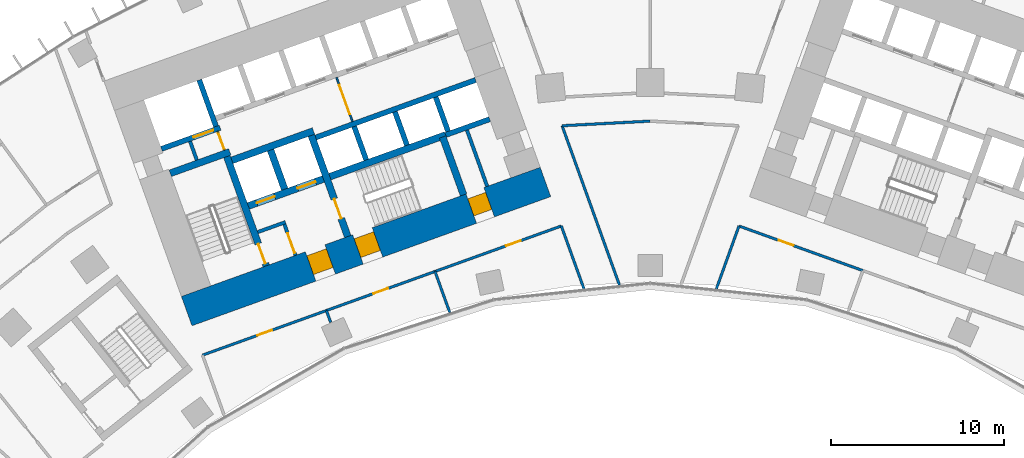
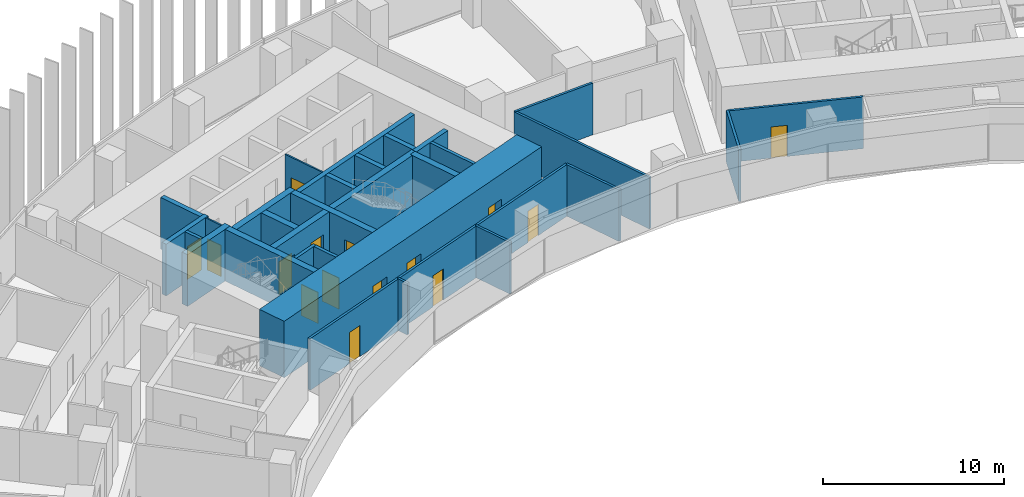
# One storey, part 19 of 25: 31 walls, 15 doors, 15 openings.
"""IFC4 building model written with IfcOpenShell, lengths in metres."""

from ifc_helpers import new_model, si_unit, direction, frame, frame_2d, origin, place, context, subcontext, project, spatial, rectangle, extrude, material, layer, layer_set, type_object, element, fill, save


model = new_model("IFC4")

# Units and contexts
model_context = context("Model", 3, precision=1e-05, world=origin(), true_north=direction((0.0, 1.0)))
body_context = subcontext(model_context, "Body", "Model", "MODEL_VIEW")
ifc_project = project(units=[si_unit("LENGTHUNIT", "METRE"), si_unit("AREAUNIT", "SQUARE_METRE"), si_unit("VOLUMEUNIT", "CUBIC_METRE"), si_unit("PLANEANGLEUNIT", "RADIAN"), si_unit("MASSUNIT", "GRAM", prefix="KILO")], contexts=[model_context])

# Site, building, storey
site_placement = place(None, origin())
site = spatial("IfcSite", under=ifc_project, at=site_placement, CompositionType="ELEMENT")
building_placement = place(site_placement, origin())
building = spatial("IfcBuilding", under=site, at=building_placement, Name="Stone Belt Terrace Tower", CompositionType="ELEMENT")
storey_placement = place(building_placement, frame((0.0, 0.0, 52.800048828125)))
storey = spatial("IfcBuildingStorey", under=building, at=storey_placement, Name="L12", CompositionType="ELEMENT", Elevation=52.800048828125)

# Wall, opening, door
ifc_material_1 = material(Name="Plasterboard partition")
ifc_layer_1 = layer(ifc_material_1, 0.10009765625)
ifc_layer_set_1 = layer_set([ifc_layer_1], Name="Core partition 100")
wall_type_1 = type_object("IfcWallType", Name="Core partition 100", PredefinedType="PARTITIONING", material=ifc_layer_set_1)
wall_1_placement = place(storey_placement, frame((-24.555908203125, 51.10400390625, 0.0), z_axis=(0.0, 0.0, 1.0), x_axis=(-0.338621735342, 0.94092258999, 0.0)))
wall_1 = element("IfcWall", 1, at=wall_1_placement, inside=storey, type_object=wall_type_1, Name="Core A wall", PredefinedType="PARTITIONING", context=body_context, shape_type="SweptSolid", body=[
    extrude(rectangle(XDim=1.14990234375, YDim=0.10009765625, at=frame_2d((0.574951171875, 0.0))), origin(), (0.0, 0.0, 1.0), 3.47998046875),
])
opening_1_placement = place(wall_1_placement, frame((0.050048828125, 0.0, 0.0)))
opening_1 = element("IfcOpeningElement", 2, at=opening_1_placement, cuts=wall_1, Name="Opening L12-C02", PredefinedType="OPENING", context=body_context, shape_type="SweptSolid", body=[
    extrude(rectangle(XDim=1.0, YDim=2.10009765625, at=frame_2d((0.5, 1.050048828125))), frame((0.0, 0.06005859375, 0.0), z_axis=(0.0, -1.0, 0.0), x_axis=(1.0, 0.0, 0.0)), (0.0, 0.0, 1.0), 0.1201171875),
])
ifc_material_2 = material(Name="Timber door leaf", Category="wood")
door_type_1 = type_object("IfcDoorType", Name="Core room door 1000", OperationType="SINGLE_SWING_LEFT", PredefinedType="DOOR", material=ifc_material_2)
door_1_placement = place(opening_1_placement, origin())
door_1 = element("IfcDoor", 3, at=door_1_placement, inside=storey, type_object=door_type_1, Name="Service lift lobby door core A", OperationType="SINGLE_SWING_RIGHT", OverallHeight=2.10009765625, OverallWidth=1.0, PredefinedType="DOOR", context=body_context, shape_type="SweptSolid", body=[
    extrude(rectangle(XDim=1.0, YDim=2.10009765625, at=frame_2d((0.5, 1.050048828125))), frame((0.0, 0.02490234375, 0.0), z_axis=(0.0, -1.0, 0.0), x_axis=(1.0, 0.0, 0.0)), (0.0, 0.0, 1.0), 0.050048828125),
])
fill(opening_1, door_1)

wall_2_placement = place(storey_placement, frame((-17.17724609375, 52.749755859375, 0.0), z_axis=(0.0, 0.0, 1.0), x_axis=(-0.338546555931, 0.940949642365, 0.0)))
wall_2 = element("IfcWall", 4, at=wall_2_placement, inside=storey, type_object=wall_type_1, Name="Core A wall", PredefinedType="PARTITIONING", context=body_context, shape_type="SweptSolid", body=[
    extrude(rectangle(XDim=2.699951171875, YDim=0.10009765625, at=frame_2d((1.35009765625, 0.0))), origin(), (0.0, 0.0, 1.0), 3.47998046875),
])
opening_2_placement = place(wall_2_placement, frame((0.449951171875, 0.0, 0.0)))
opening_2 = element("IfcOpeningElement", 5, at=opening_2_placement, cuts=wall_2, Name="Opening L12-C03", PredefinedType="OPENING", context=body_context, shape_type="SweptSolid", body=[
    extrude(rectangle(XDim=1.800048828125, YDim=2.10009765625, at=frame_2d((0.89990234375, 1.050048828125))), frame((0.0, 0.06005859375, 0.0), z_axis=(0.0, -1.0, 0.0), x_axis=(1.0, 0.0, 0.0)), (0.0, 0.0, 1.0), 0.1201171875),
])
ifc_material_3 = material(Name="Glazed aluminium door leaf", Category="aluminium")
door_type_2 = type_object("IfcDoorType", Name="Lift lobby entrance door 1800", OperationType="DOUBLE_DOOR_SINGLE_SWING", PredefinedType="DOOR", material=ifc_material_3)
door_2_placement = place(opening_2_placement, origin())
door_2 = element("IfcDoor", 6, at=door_2_placement, inside=storey, type_object=door_type_2, Name="Lift lobby double door core A", OperationType="DOUBLE_DOOR_SINGLE_SWING", OverallHeight=2.10009765625, OverallWidth=1.800048828125, PredefinedType="DOOR", context=body_context, shape_type="SweptSolid", body=[
    extrude(rectangle(XDim=1.800048828125, YDim=2.10009765625, at=frame_2d((0.89990234375, 1.050048828125))), frame((0.0, 0.02490234375, 0.0), z_axis=(0.0, -1.0, 0.0), x_axis=(1.0, 0.0, 0.0)), (0.0, 0.0, 1.0), 0.050048828125),
])
fill(opening_2, door_2)

# Wall, openings, doors
ifc_material_4 = material(Name="Concrete B80", Category="concrete")
ifc_layer_2 = layer(ifc_material_4, 1.800048828125)
ifc_layer_set_2 = layer_set([ifc_layer_2], Name="Core wall 1800 B80")
wall_type_2 = type_object("IfcWallType", Name="Core wall 1800 B80", PredefinedType="SHEAR", material=ifc_layer_set_2)
wall_3_placement = place(storey_placement, frame((-26.739501953125, 41.815673828125, 0.0), z_axis=(0.0, 0.0, 1.0), x_axis=(0.940921642213, 0.338624368902, 0.0)))
wall_3 = element("IfcWall", 7, at=wall_3_placement, inside=storey, type_object=wall_type_2, Name="Core A wall concave L12", PredefinedType="SHEAR", context=body_context, shape_type="SweptSolid", body=[
    extrude(rectangle(XDim=22.0, YDim=1.800048828125, at=frame_2d((11.0, 0.0))), origin(), (0.0, 0.0, 1.0), 3.800048828125),
])
opening_3_placement = place(wall_3_placement, frame((7.60009765625, 0.0, 0.0)))
opening_3 = element("IfcOpeningElement", 8, at=opening_3_placement, cuts=wall_3, Name="Opening L12-C07", PredefinedType="OPENING", context=body_context, shape_type="SweptSolid", body=[
    extrude(rectangle(XDim=1.199951171875, YDim=2.10009765625, at=frame_2d((0.60009765625, 1.050048828125))), frame((0.0, 0.909912109375, 0.0), z_axis=(0.0, -1.0, 0.0), x_axis=(1.0, 0.0, 0.0)), (0.0, 0.0, 1.0), 1.820068359375),
])
opening_4_placement = place(wall_3_placement, frame((10.5, 0.0, 0.0)))
opening_4 = element("IfcOpeningElement", 9, at=opening_4_placement, cuts=wall_3, Name="Opening L12-C09", PredefinedType="OPENING", context=body_context, shape_type="SweptSolid", body=[
    extrude(rectangle(XDim=1.199951171875, YDim=2.10009765625, at=frame_2d((0.60009765625, 1.050048828125))), frame((0.0, 0.909912109375, 0.0), z_axis=(0.0, -1.0, 0.0), x_axis=(1.0, 0.0, 0.0)), (0.0, 0.0, 1.0), 1.820068359375),
])
opening_5_placement = place(wall_3_placement, frame((17.449951171875, 0.0, 0.0)))
opening_5 = element("IfcOpeningElement", 10, at=opening_5_placement, cuts=wall_3, Name="Opening L12-C11", PredefinedType="OPENING", context=body_context, shape_type="SweptSolid", body=[
    extrude(rectangle(XDim=1.10009765625, YDim=2.10009765625, at=frame_2d((0.550048828125, 1.050048828125))), frame((0.0, 0.909912109375, 0.0), z_axis=(0.0, -1.0, 0.0), x_axis=(1.0, 0.0, 0.0)), (0.0, 0.0, 1.0), 1.820068359375),
])
door_type_3 = type_object("IfcDoorType", Name="Core room door 1100", OperationType="SINGLE_SWING_LEFT", PredefinedType="DOOR", material=ifc_material_2)
door_3_placement = place(opening_5_placement, origin())
door_3 = element("IfcDoor", 11, at=door_3_placement, inside=storey, type_object=door_type_3, Name="Door to Communications riser room core A", OperationType="SINGLE_SWING_RIGHT", OverallHeight=2.10009765625, OverallWidth=1.10009765625, PredefinedType="DOOR", context=body_context, shape_type="SweptSolid", body=[
    extrude(rectangle(XDim=1.10009765625, YDim=2.10009765625, at=frame_2d((0.550048828125, 1.050048828125))), frame((0.0, 0.60498046875, 0.0), z_axis=(0.0, -1.0, 0.0), x_axis=(1.0, 0.0, 0.0)), (0.0, 0.0, 1.0), 1.050048828125),
])
fill(opening_5, door_3)
ifc_material_5 = material(Name="Steel door leaf", Category="steel")
door_type_4 = type_object("IfcDoorType", Name="Fire-fighting lobby door 1200", OperationType="SINGLE_SWING_LEFT", PredefinedType="DOOR", material=ifc_material_5)
door_4_placement = place(opening_3_placement, origin())
door_4 = element("IfcDoor", 12, at=door_4_placement, inside=storey, type_object=door_type_4, Name="Fire-fighting lobby door core A", OperationType="SINGLE_SWING_RIGHT", OverallHeight=2.10009765625, OverallWidth=1.199951171875, PredefinedType="DOOR", context=body_context, shape_type="SweptSolid", body=[
    extrude(rectangle(XDim=1.199951171875, YDim=2.10009765625, at=frame_2d((0.60009765625, 1.050048828125))), frame((0.0, 0.655029296875, 0.0), z_axis=(0.0, -1.0, 0.0), x_axis=(1.0, 0.0, 0.0)), (0.0, 0.0, 1.0), 1.14990234375),
])
fill(opening_3, door_4)
door_type_5 = type_object("IfcDoorType", Name="Stair door 1200", OperationType="SINGLE_SWING_LEFT", PredefinedType="DOOR", material=ifc_material_5)
door_5_placement = place(opening_4_placement, origin())
door_5 = element("IfcDoor", 13, at=door_5_placement, inside=storey, type_object=door_type_5, Name="Stair 2 exit door core A", OperationType="SINGLE_SWING_LEFT", OverallHeight=2.10009765625, OverallWidth=1.199951171875, PredefinedType="DOOR", context=body_context, shape_type="SweptSolid", body=[
    extrude(rectangle(XDim=1.199951171875, YDim=2.10009765625, at=frame_2d((0.60009765625, 1.050048828125))), frame((0.0, 0.655029296875, 0.0), z_axis=(0.0, -1.0, 0.0), x_axis=(1.0, 0.0, 0.0)), (0.0, 0.0, 1.0), 1.14990234375),
])
fill(opening_4, door_5)

# Walls
ifc_layer_3 = layer(ifc_material_4, 0.39990234375)
ifc_layer_set_3 = layer_set([ifc_layer_3], Name="Fire-fighting lift shaft wall 400")
wall_type_3 = type_object("IfcWallType", Name="Fire-fighting lift shaft wall 400", PredefinedType="SHEAR", material=ifc_layer_set_3)
wall_4_placement = place(storey_placement, frame((-24.130615234375, 50.512939453125, 0.0), z_axis=(0.0, 0.0, 1.0), x_axis=(0.94091168377, 0.338652038744, 0.0)))
element("IfcWall", 14, at=wall_4_placement, inside=storey, type_object=wall_type_3, Name="Core A wall", PredefinedType="SHEAR", context=body_context, shape_type="SweptSolid", body=[
    extrude(rectangle(XDim=5.000244140625, YDim=0.39990234375, at=frame_2d((2.5, 0.0))), origin(), (0.0, 0.0, 1.0), 3.47998046875),
])
wall_5_placement = place(storey_placement, frame((-21.0859375, 48.845458984375, 0.0), z_axis=(0.0, 0.0, 1.0), x_axis=(-0.338629416206, 0.940919825745, 0.0)))
element("IfcWall", 15, at=wall_5_placement, inside=storey, type_object=wall_type_3, Name="Core A wall", PredefinedType="SHEAR", context=body_context, shape_type="SweptSolid", body=[
    extrude(rectangle(XDim=2.400146484375, YDim=0.39990234375, at=frame_2d((1.2001953125, 0.0))), origin(), (0.0, 0.0, 1.0), 3.47998046875),
])

# Wall, opening, door
ifc_layer_4 = layer(ifc_material_4, 0.300048828125)
ifc_layer_set_4 = layer_set([ifc_layer_4], Name="Lift shaft wall 300")
wall_type_4 = type_object("IfcWallType", Name="Lift shaft wall 300", PredefinedType="SHEAR", material=ifc_layer_set_4)
wall_6_placement = place(storey_placement, frame((-28.195068359375, 51.17578125, 0.0), z_axis=(0.0, 0.0, 1.0), x_axis=(0.940901243567, 0.338681044427, 0.0)))
wall_6 = element("IfcWall", 16, at=wall_6_placement, inside=storey, type_object=wall_type_4, Name="Core A wall", PredefinedType="SHEAR", context=body_context, shape_type="SweptSolid", body=[
    extrude(rectangle(XDim=3.599853515625, YDim=0.300048828125, at=frame_2d((1.7998046875, 0.0))), origin(), (0.0, 0.0, 1.0), 3.47998046875),
])
opening_6_placement = place(wall_6_placement, frame((1.969970703125, 0.0, 0.0)))
opening_6 = element("IfcOpeningElement", 17, at=opening_6_placement, cuts=wall_6, Name="Opening L12-LD09", PredefinedType="OPENING", context=body_context, shape_type="SweptSolid", body=[
    extrude(rectangle(XDim=1.199951171875, YDim=2.199951171875, at=frame_2d((0.60009765625, 1.10009765625))), frame((0.0, 0.159912109375, 0.0), z_axis=(0.0, -1.0, 0.0), x_axis=(1.0, 0.0, 0.0)), (0.0, 0.0, 1.0), 0.320068359375),
])
ifc_material_6 = material(Name="Stainless steel door leaf", Category="steel")
door_type_6 = type_object("IfcDoorType", Name="Landing door 1200", OperationType="SLIDING_TO_LEFT", PredefinedType="DOOR", material=ifc_material_6)
door_6_placement = place(opening_6_placement, origin())
door_6 = element("IfcDoor", 18, at=door_6_placement, inside=storey, type_object=door_type_6, Name="Landing door SV1 core A", OperationType="SLIDING_TO_LEFT", OverallHeight=2.199951171875, OverallWidth=1.199951171875, PredefinedType="DOOR", context=body_context, shape_type="SweptSolid", body=[
    extrude(rectangle(XDim=1.199951171875, YDim=2.199951171875, at=frame_2d((0.60009765625, 1.10009765625))), frame((0.0, 0.02490234375, 0.0), z_axis=(0.0, -1.0, 0.0), x_axis=(1.0, 0.0, 0.0)), (0.0, 0.0, 1.0), 0.050048828125),
])
fill(opening_6, door_6)

# Walls
wall_7_placement = place(storey_placement, frame((-25.046875, 52.46826171875, 0.0), z_axis=(0.0, 0.0, 1.0), x_axis=(-0.338549588058, 0.940948551423, 0.0)))
element("IfcWall", 19, at=wall_7_placement, inside=storey, type_object=wall_type_4, Name="Core A wall", PredefinedType="SHEAR", context=body_context, shape_type="SweptSolid", body=[
    extrude(rectangle(XDim=2.849853515625, YDim=0.300048828125, at=frame_2d((1.4248046875, 0.0))), origin(), (0.0, 0.0, 1.0), 3.47998046875),
])
wall_8_placement = place(storey_placement, frame((-19.29052734375, 51.829833984375, 0.0), z_axis=(0.0, 0.0, 1.0), x_axis=(0.940925833398, 0.338612722803, 0.0)))
element("IfcWall", 20, at=wall_8_placement, inside=storey, type_object=wall_type_4, Name="Core A wall", PredefinedType="SHEAR", context=body_context, shape_type="SweptSolid", body=[
    extrude(rectangle(XDim=9.7998046875, YDim=0.300048828125, at=frame_2d((4.89990234375, 0.0))), origin(), (0.0, 0.0, 1.0), 3.47998046875),
])
for number, where, z_axis, x_axis, name in (
    (21, (-16.38134765625, 50.53857421875, 0.0), (0.0, 0.0, 1.0), (-0.338681515556, 0.940901073982, 0.0), "Core A wall"),
    (22, (-14.029052734375, 51.38525390625, 0.0), (0.0, 0.0, 1.0), (-0.338681515556, 0.940901073982, 0.0), "Core A wall"),
):
    element("IfcWall", number, at=place(storey_placement, frame(where, z_axis=z_axis, x_axis=x_axis)), inside=storey, type_object=wall_type_4, Name=name, PredefinedType="SHEAR", context=body_context, shape_type="SweptSolid", body=[
        extrude(rectangle(XDim=2.050048828125, YDim=0.300048828125, at=frame_2d((1.02490234375, 0.0))), origin(), (0.0, 0.0, 1.0), 3.47998046875),
    ])
wall_9_placement = place(storey_placement, frame((-11.797119140625, 51.975830078125, 0.0), z_axis=(0.0, 0.0, 1.0), x_axis=(0.940910465161, 0.33865542451, 0.0)))
element("IfcWall", 23, at=wall_9_placement, inside=storey, type_object=wall_type_4, Name="Core A wall", PredefinedType="SHEAR", context=body_context, shape_type="SweptSolid", body=[
    extrude(rectangle(XDim=2.69970703125, YDim=0.300048828125, at=frame_2d((1.349853515625, 0.0))), origin(), (0.0, 0.0, 1.0), 3.47998046875),
])
wall_10_placement = place(storey_placement, frame((-11.659912109375, 52.184814453125, 0.0), z_axis=(0.0, 0.0, 1.0), x_axis=(-0.338670064856, 0.940905195634, 0.0)))
element("IfcWall", 24, at=wall_10_placement, inside=storey, type_object=wall_type_4, Name="Core A wall", PredefinedType="SHEAR", context=body_context, shape_type="SweptSolid", body=[
    extrude(rectangle(XDim=2.099853515625, YDim=0.300048828125, at=frame_2d((1.0498046875, 0.0))), origin(), (0.0, 0.0, 1.0), 3.47998046875),
])
ifc_material_7 = material(Name="Gypsum board partition")
ifc_layer_5 = layer(ifc_material_7, 0.14990234375)
ifc_layer_set_5 = layer_set([ifc_layer_5], Name="PARTITION 150 EI 60")
wall_type_5 = type_object("IfcWallType", Name="PARTITION 150 EI 60", PredefinedType="PARTITIONING", material=ifc_layer_set_5)
wall_11_placement = place(storey_placement, frame((-3.8193359375, 43.0986328125, 0.0), z_axis=(0.0, 0.0, 1.0), x_axis=(-0.338714989495, 0.940889024217, 0.0)))
element("IfcWall", 25, at=wall_11_placement, inside=storey, type_object=wall_type_5, Name="L12/wall/i006", PredefinedType="PARTITIONING", context=body_context, shape_type="SweptSolid", body=[
    extrude(rectangle(XDim=3.860595703125, YDim=0.14990234375, at=frame_2d((1.93017578125, 0.0))), origin(), (0.0, 0.0, 1.0), 3.47998046875),
])
wall_12_placement = place(storey_placement, frame((-5.0830078125, 52.514892578125, 0.0), z_axis=(0.0, 0.0, 1.0), x_axis=(0.338660235858, -0.940908733432, 0.0)))
element("IfcWall", 26, at=wall_12_placement, inside=storey, type_object=wall_type_5, Name="L12/wall/i008", PredefinedType="PARTITIONING", context=body_context, shape_type="SweptSolid", body=[
    extrude(rectangle(XDim=9.779052734375, YDim=0.14990234375, at=frame_2d((4.8896484375, 0.0))), origin(), (0.0, 0.0, 1.0), 3.47998046875),
])

# Wall, opening, door
wall_13_placement = place(storey_placement, frame((-18.6708984375, 41.85009765625, 0.0), z_axis=(0.0, 0.0, 1.0), x_axis=(-0.940898463148, -0.338688768702, 0.0)))
wall_13 = element("IfcWall", 27, at=wall_13_placement, inside=storey, type_object=wall_type_5, Name="L12/wall/i011", PredefinedType="PARTITIONING", context=body_context, shape_type="SweptSolid", body=[
    extrude(rectangle(XDim=7.603515625, YDim=0.14990234375, at=frame_2d((3.8017578125, 0.0))), origin(), (0.0, 0.0, 1.0), 3.47998046875),
])
opening_7_placement = place(wall_13_placement, frame((3.3515625, 0.0, 0.0)))
opening_7 = element("IfcOpeningElement", 28, at=opening_7_placement, cuts=wall_13, Name="Opening D-A3b-01", PredefinedType="OPENING", context=body_context, shape_type="SweptSolid", body=[
    extrude(rectangle(XDim=0.89990234375, YDim=2.10009765625, at=frame_2d((0.449951171875, 1.050048828125))), frame((0.0, 0.0849609375, 0.0), z_axis=(0.0, -1.0, 0.0), x_axis=(1.0, 0.0, 0.0)), (0.0, 0.0, 1.0), 0.169921875),
])
door_type_7 = type_object("IfcDoorType", Name="OFFICE DOOR 900 X 2100", OperationType="NOTDEFINED", PredefinedType="DOOR", material=ifc_material_2)
door_7_placement = place(opening_7_placement, origin())
door_7 = element("IfcDoor", 29, at=door_7_placement, inside=storey, type_object=door_type_7, Name="L12/door/i01", OperationType="SINGLE_SWING_RIGHT", OverallHeight=2.10009765625, OverallWidth=0.89990234375, PredefinedType="DOOR", context=body_context, shape_type="SweptSolid", body=[
    extrude(rectangle(XDim=0.89990234375, YDim=2.10009765625, at=frame_2d((0.449951171875, 1.050048828125))), frame((0.0, 0.02490234375, 0.0), z_axis=(0.0, -1.0, 0.0), x_axis=(1.0, 0.0, 0.0)), (0.0, 0.0, 1.0), 0.050048828125),
])
fill(opening_7, door_7)

wall_14_placement = place(storey_placement, frame((-12.406982421875, 44.10400390625, 0.0), z_axis=(0.0, 0.0, 1.0), x_axis=(-0.940951787008, -0.338540595092, 0.0)))
wall_14 = element("IfcWall", 30, at=wall_14_placement, inside=storey, type_object=wall_type_5, Name="L12/wall/i012", PredefinedType="PARTITIONING", context=body_context, shape_type="SweptSolid", body=[
    extrude(rectangle(XDim=6.669921875, YDim=0.14990234375, at=frame_2d((3.3349609375, 0.0))), origin(), (0.0, 0.0, 1.0), 3.47998046875),
])
opening_8_placement = place(wall_14_placement, frame((2.885009765625, 0.0, 0.0)))
opening_8 = element("IfcOpeningElement", 31, at=opening_8_placement, cuts=wall_14, Name="Opening D-A3b-02", PredefinedType="OPENING", context=body_context, shape_type="SweptSolid", body=[
    extrude(rectangle(XDim=0.89990234375, YDim=2.10009765625, at=frame_2d((0.449951171875, 1.050048828125))), frame((0.0, 0.0849609375, 0.0), z_axis=(0.0, -1.0, 0.0), x_axis=(1.0, 0.0, 0.0)), (0.0, 0.0, 1.0), 0.169921875),
])
door_8_placement = place(opening_8_placement, origin())
door_8 = element("IfcDoor", 32, at=door_8_placement, inside=storey, type_object=door_type_7, Name="L12/door/i02", OperationType="SINGLE_SWING_RIGHT", OverallHeight=2.10009765625, OverallWidth=0.89990234375, PredefinedType="DOOR", context=body_context, shape_type="SweptSolid", body=[
    extrude(rectangle(XDim=0.89990234375, YDim=2.10009765625, at=frame_2d((0.449951171875, 1.050048828125))), frame((0.0, 0.02490234375, 0.0), z_axis=(0.0, -1.0, 0.0), x_axis=(1.0, 0.0, 0.0)), (0.0, 0.0, 1.0), 0.050048828125),
])
fill(opening_8, door_8)

wall_15_placement = place(storey_placement, frame((-5.125, 46.72509765625, 0.0), z_axis=(0.0, 0.0, 1.0), x_axis=(-0.940921131887, -0.338625786921, 0.0)))
wall_15 = element("IfcWall", 33, at=wall_15_placement, inside=storey, type_object=wall_type_5, Name="L12/wall/i013", PredefinedType="PARTITIONING", context=body_context, shape_type="SweptSolid", body=[
    extrude(rectangle(XDim=7.751953125, YDim=0.14990234375, at=frame_2d((3.8759765625, 0.0))), origin(), (0.0, 0.0, 1.0), 3.47998046875),
])
opening_9_placement = place(wall_15_placement, frame((2.48828125, 0.0, 0.0)))
opening_9 = element("IfcOpeningElement", 34, at=opening_9_placement, cuts=wall_15, Name="Opening D-A3b-03", PredefinedType="OPENING", context=body_context, shape_type="SweptSolid", body=[
    extrude(rectangle(XDim=0.89990234375, YDim=2.10009765625, at=frame_2d((0.449951171875, 1.050048828125))), frame((0.0, 0.0849609375, 0.0), z_axis=(0.0, -1.0, 0.0), x_axis=(1.0, 0.0, 0.0)), (0.0, 0.0, 1.0), 0.169921875),
])
door_9_placement = place(opening_9_placement, origin())
door_9 = element("IfcDoor", 35, at=door_9_placement, inside=storey, type_object=door_type_7, Name="L12/door/i03", OperationType="SINGLE_SWING_LEFT", OverallHeight=2.10009765625, OverallWidth=0.89990234375, PredefinedType="DOOR", context=body_context, shape_type="SweptSolid", body=[
    extrude(rectangle(XDim=0.89990234375, YDim=2.10009765625, at=frame_2d((0.449951171875, 1.050048828125))), frame((0.0, 0.02490234375, 0.0), z_axis=(0.0, -1.0, 0.0), x_axis=(1.0, 0.0, 0.0)), (0.0, 0.0, 1.0), 0.050048828125),
])
fill(opening_9, door_9)

# Walls
wall_16_placement = place(storey_placement, frame((-18.677001953125, 41.847900390625, 0.0), z_axis=(0.0, 0.0, 1.0), x_axis=(0.338755063211, -0.94087459693, 0.0)))
element("IfcWall", 36, at=wall_16_placement, inside=storey, type_object=wall_type_5, Name="L12/wall/i014", PredefinedType="PARTITIONING", context=body_context, shape_type="SweptSolid", body=[
    extrude(rectangle(XDim=0.728515625, YDim=0.14990234375, at=frame_2d((0.3642578125, 0.0))), origin(), (0.0, 0.0, 1.0), 3.47998046875),
])
wall_17_placement = place(storey_placement, frame((-12.4130859375, 44.10205078125, 0.0), z_axis=(0.0, 0.0, 1.0), x_axis=(0.338643961711, -0.940914590809, 0.0)))
element("IfcWall", 37, at=wall_17_placement, inside=storey, type_object=wall_type_5, Name="L12/wall/i015", PredefinedType="PARTITIONING", context=body_context, shape_type="SweptSolid", body=[
    extrude(rectangle(XDim=2.51904296875, YDim=0.14990234375, at=frame_2d((1.259521484375, 0.0))), origin(), (0.0, 0.0, 1.0), 3.47998046875),
])
wall_18_placement = place(storey_placement, frame((5.126953125, 46.73095703125, 0.0), z_axis=(0.0, 0.0, 1.0), x_axis=(-0.338714989495, -0.940889024217, 0.0)))
element("IfcWall", 38, at=wall_18_placement, inside=storey, type_object=wall_type_5, Name="L12/wall/i017", PredefinedType="PARTITIONING", context=body_context, shape_type="SweptSolid", body=[
    extrude(rectangle(XDim=3.860595703125, YDim=0.14990234375, at=frame_2d((1.93017578125, 0.0))), origin(), (0.0, 0.0, 1.0), 3.47998046875),
])

# Wall, opening, door
wall_19_placement = place(storey_placement, frame((12.279052734375, 44.14990234375, 0.0), z_axis=(0.0, 0.0, 1.0), x_axis=(-0.940898463148, 0.338688768702, 0.0)))
wall_19 = element("IfcWall", 39, at=wall_19_placement, inside=storey, type_object=wall_type_5, Name="L12/wall/i028", PredefinedType="PARTITIONING", context=body_context, shape_type="SweptSolid", body=[
    extrude(rectangle(XDim=7.603515625, YDim=0.14990234375, at=frame_2d((3.8017578125, 0.0))), origin(), (0.0, 0.0, 1.0), 3.47998046875),
])
opening_10_placement = place(wall_19_placement, frame((4.26708984375, 0.0, 0.0)))
opening_10 = element("IfcOpeningElement", 40, at=opening_10_placement, cuts=wall_19, Name="Opening D-A3b-06", PredefinedType="OPENING", context=body_context, shape_type="SweptSolid", body=[
    extrude(rectangle(XDim=0.89990234375, YDim=2.10009765625, at=frame_2d((0.449951171875, 1.050048828125))), frame((0.0, 0.0849609375, 0.0), z_axis=(0.0, -1.0, 0.0), x_axis=(1.0, 0.0, 0.0)), (0.0, 0.0, 1.0), 0.169921875),
])
door_10_placement = place(opening_10_placement, origin())
door_10 = element("IfcDoor", 41, at=door_10_placement, inside=storey, type_object=door_type_7, Name="L12/door/i06", OperationType="SINGLE_SWING_RIGHT", OverallHeight=2.10009765625, OverallWidth=0.89990234375, PredefinedType="DOOR", context=body_context, shape_type="SweptSolid", body=[
    extrude(rectangle(XDim=0.89990234375, YDim=2.10009765625, at=frame_2d((0.449951171875, 1.050048828125))), frame((0.0, 0.02490234375, 0.0), z_axis=(0.0, -1.0, 0.0), x_axis=(1.0, 0.0, 0.0)), (0.0, 0.0, 1.0), 0.050048828125),
])
fill(opening_10, door_10)

# Walls
wall_20_placement = place(storey_placement, frame((0.0, 52.77490234375, 0.0), z_axis=(0.0, 0.0, 1.0), x_axis=(-0.99863382154, -0.052254095313, 0.0)))
element("IfcWall", 42, at=wall_20_placement, inside=storey, type_object=wall_type_5, Name="L12/wall/i083", PredefinedType="PARTITIONING", context=body_context, shape_type="SweptSolid", body=[
    extrude(rectangle(XDim=5.087890625, YDim=0.14990234375, at=frame_2d((2.5439453125, 0.0))), origin(), (0.0, 0.0, 1.0), 3.47998046875),
])
ifc_material_8 = material(Name="Concrete masonry block", Category="masonry")
ifc_layer_6 = layer(ifc_material_8, 0.199951171875)
ifc_layer_set_6 = layer_set([ifc_layer_6], Name="Rated lobby wall 200")
wall_type_6 = type_object("IfcWallType", Name="Rated lobby wall 200", PredefinedType="PARTITIONING", material=ifc_layer_set_6)
wall_21_placement = place(storey_placement, frame((-26.1552734375, 50.5283203125, 0.0), z_axis=(0.0, 0.0, 1.0), x_axis=(-0.338621735342, 0.94092258999, 0.0)))
element("IfcWall", 43, at=wall_21_placement, inside=storey, type_object=wall_type_6, Name="Core A wall", PredefinedType="PARTITIONING", context=body_context, shape_type="SweptSolid", body=[
    extrude(rectangle(XDim=1.14990234375, YDim=0.199951171875, at=frame_2d((0.574951171875, 0.0))), origin(), (0.0, 0.0, 1.0), 3.47998046875),
])
wall_22_placement = place(storey_placement, frame((-22.640625, 46.373046875, 0.0), z_axis=(0.0, 0.0, 1.0), x_axis=(0.940966110313, 0.338500781747, 0.0)))
element("IfcWall", 44, at=wall_22_placement, inside=storey, type_object=wall_type_6, Name="Core A wall", PredefinedType="PARTITIONING", context=body_context, shape_type="SweptSolid", body=[
    extrude(rectangle(XDim=1.699951171875, YDim=0.199951171875, at=frame_2d((0.85009765625, 0.0))), origin(), (0.0, 0.0, 1.0), 3.47998046875),
])

# Wall, opening, door
wall_23_placement = place(storey_placement, frame((-20.4580078125, 45.032958984375, 0.0), z_axis=(0.0, 0.0, 1.0), x_axis=(-0.338573865316, 0.940939816208, 0.0)))
wall_23 = element("IfcWall", 45, at=wall_23_placement, inside=storey, type_object=wall_type_6, Name="Core A wall", PredefinedType="PARTITIONING", context=body_context, shape_type="SweptSolid", body=[
    extrude(rectangle(XDim=1.900146484375, YDim=0.199951171875, at=frame_2d((0.9501953125, 0.0))), origin(), (0.0, 0.0, 1.0), 3.47998046875),
])
opening_11_placement = place(wall_23_placement, frame((0.14990234375, 0.0, 0.0)))
opening_11 = element("IfcOpeningElement", 46, at=opening_11_placement, cuts=wall_23, Name="Opening L12-C06", PredefinedType="OPENING", context=body_context, shape_type="SweptSolid", body=[
    extrude(rectangle(XDim=1.199951171875, YDim=2.10009765625, at=frame_2d((0.60009765625, 1.050048828125))), frame((0.0, 0.10986328125, 0.0), z_axis=(0.0, -1.0, 0.0), x_axis=(1.0, 0.0, 0.0)), (0.0, 0.0, 1.0), 0.219970703125),
])
door_11_placement = place(opening_11_placement, origin())
door_11 = element("IfcDoor", 47, at=door_11_placement, inside=storey, type_object=door_type_5, Name="Stair airlock door core A", OperationType="SINGLE_SWING_RIGHT", OverallHeight=2.10009765625, OverallWidth=1.199951171875, PredefinedType="DOOR", context=body_context, shape_type="SweptSolid", body=[
    extrude(rectangle(XDim=1.199951171875, YDim=2.10009765625, at=frame_2d((0.60009765625, 1.050048828125))), frame((0.0, 0.02490234375, 0.0), z_axis=(0.0, -1.0, 0.0), x_axis=(1.0, 0.0, 0.0)), (0.0, 0.0, 1.0), 0.050048828125),
])
fill(opening_11, door_11)

# Walls
wall_24_placement = place(storey_placement, frame((-9.402099609375, 49.01171875, 0.0), z_axis=(0.0, 0.0, 1.0), x_axis=(-0.338599189079, 0.940930703695, 0.0)))
element("IfcWall", 48, at=wall_24_placement, inside=storey, type_object=wall_type_6, Name="Core A wall", PredefinedType="PARTITIONING", context=body_context, shape_type="SweptSolid", body=[
    extrude(rectangle(XDim=3.4501953125, YDim=0.199951171875, at=frame_2d((1.72509765625, 0.0))), origin(), (0.0, 0.0, 1.0), 3.47998046875),
])
ifc_layer_7 = layer(ifc_material_4, 0.39990234375)
ifc_layer_set_7 = layer_set([ifc_layer_7], Name="Stair enclosure wall 400")
wall_type_7 = type_object("IfcWallType", Name="Stair enclosure wall 400", PredefinedType="SHEAR", material=ifc_layer_set_7)
wall_25_placement = place(storey_placement, frame((-27.687255859375, 49.764404296875, 0.0), z_axis=(0.0, 0.0, 1.0), x_axis=(0.940918954884, 0.338631835981, 0.0)))
element("IfcWall", 49, at=wall_25_placement, inside=storey, type_object=wall_type_7, Name="Core A wall", PredefinedType="SHEAR", context=body_context, shape_type="SweptSolid", body=[
    extrude(rectangle(XDim=3.650146484375, YDim=0.39990234375, at=frame_2d((1.8251953125, 0.0))), origin(), (0.0, 0.0, 1.0), 3.47998046875),
])

# Wall, opening, door
wall_26_placement = place(storey_placement, frame((-22.151611328125, 44.42333984375, 0.0), z_axis=(0.0, 0.0, 1.0), x_axis=(-0.338625272931, 0.940921316866, 0.0)))
wall_26 = element("IfcWall", 50, at=wall_26_placement, inside=storey, type_object=wall_type_7, Name="Core A wall", PredefinedType="SHEAR", context=body_context, shape_type="SweptSolid", body=[
    extrude(rectangle(XDim=6.699951171875, YDim=0.39990234375, at=frame_2d((3.35009765625, 0.0))), origin(), (0.0, 0.0, 1.0), 3.47998046875),
])
opening_12_placement = place(wall_26_placement, frame((0.14990234375, 0.0, 0.0)))
opening_12 = element("IfcOpeningElement", 51, at=opening_12_placement, cuts=wall_26, Name="Opening L12-C05", PredefinedType="OPENING", context=body_context, shape_type="SweptSolid", body=[
    extrude(rectangle(XDim=1.199951171875, YDim=2.10009765625, at=frame_2d((0.60009765625, 1.050048828125))), frame((0.0, 0.2099609375, 0.0), z_axis=(0.0, -1.0, 0.0), x_axis=(1.0, 0.0, 0.0)), (0.0, 0.0, 1.0), 0.419921875),
])
door_12_placement = place(opening_12_placement, origin())
door_12 = element("IfcDoor", 52, at=door_12_placement, inside=storey, type_object=door_type_5, Name="Stair 1 door core A", OperationType="SINGLE_SWING_RIGHT", OverallHeight=2.10009765625, OverallWidth=1.199951171875, PredefinedType="DOOR", context=body_context, shape_type="SweptSolid", body=[
    extrude(rectangle(XDim=1.199951171875, YDim=2.10009765625, at=frame_2d((0.60009765625, 1.050048828125))), frame((0.0, 0.02490234375, 0.0), z_axis=(0.0, -1.0, 0.0), x_axis=(1.0, 0.0, 0.0)), (0.0, 0.0, 1.0), 0.050048828125),
])
fill(opening_12, door_12)

# Wall, openings, doors
wall_27_placement = place(storey_placement, frame((-23.182373046875, 47.87841796875, 0.0), z_axis=(0.0, 0.0, 1.0), x_axis=(0.940921101762, 0.338625870628, 0.0)))
wall_27 = element("IfcWall", 53, at=wall_27_placement, inside=storey, type_object=wall_type_7, Name="Core A wall", PredefinedType="SHEAR", context=body_context, shape_type="SweptSolid", body=[
    extrude(rectangle(XDim=12.10009765625, YDim=0.39990234375, at=frame_2d((6.050048828125, 0.0))), origin(), (0.0, 0.0, 1.0), 3.47998046875),
])
opening_13_placement = place(wall_27_placement, frame((0.52001953125, 0.0, 0.0)))
opening_13 = element("IfcOpeningElement", 54, at=opening_13_placement, cuts=wall_27, Name="Opening L12-LD07", PredefinedType="OPENING", context=body_context, shape_type="SweptSolid", body=[
    extrude(rectangle(XDim=1.10009765625, YDim=2.199951171875, at=frame_2d((0.550048828125, 1.10009765625))), frame((0.0, 0.2099609375, 0.0), z_axis=(0.0, -1.0, 0.0), x_axis=(1.0, 0.0, 0.0)), (0.0, 0.0, 1.0), 0.419921875),
])
opening_14_placement = place(wall_27_placement, frame((3.02001953125, 0.0, 0.0)))
opening_14 = element("IfcOpeningElement", 55, at=opening_14_placement, cuts=wall_27, Name="Opening L12-LD08", PredefinedType="OPENING", context=body_context, shape_type="SweptSolid", body=[
    extrude(rectangle(XDim=1.10009765625, YDim=2.199951171875, at=frame_2d((0.550048828125, 1.10009765625))), frame((0.0, 0.2099609375, 0.0), z_axis=(0.0, -1.0, 0.0), x_axis=(1.0, 0.0, 0.0)), (0.0, 0.0, 1.0), 0.419921875),
])
door_type_8 = type_object("IfcDoorType", Name="Landing door 1100", OperationType="SLIDING_TO_LEFT", PredefinedType="DOOR", material=ifc_material_6)
door_13_placement = place(opening_13_placement, origin())
door_13 = element("IfcDoor", 56, at=door_13_placement, inside=storey, type_object=door_type_8, Name="Landing door FF1 core A", OperationType="SLIDING_TO_LEFT", OverallHeight=2.199951171875, OverallWidth=1.10009765625, PredefinedType="DOOR", context=body_context, shape_type="SweptSolid", body=[
    extrude(rectangle(XDim=1.10009765625, YDim=2.199951171875, at=frame_2d((0.550048828125, 1.10009765625))), frame((0.0, 0.02490234375, 0.0), z_axis=(0.0, -1.0, 0.0), x_axis=(1.0, 0.0, 0.0)), (0.0, 0.0, 1.0), 0.050048828125),
])
fill(opening_13, door_13)
door_14_placement = place(opening_14_placement, origin())
door_14 = element("IfcDoor", 57, at=door_14_placement, inside=storey, type_object=door_type_8, Name="Landing door FF2 core A", OperationType="SLIDING_TO_LEFT", OverallHeight=2.199951171875, OverallWidth=1.10009765625, PredefinedType="DOOR", context=body_context, shape_type="SweptSolid", body=[
    extrude(rectangle(XDim=1.10009765625, YDim=2.199951171875, at=frame_2d((0.550048828125, 1.10009765625))), frame((0.0, 0.02490234375, 0.0), z_axis=(0.0, -1.0, 0.0), x_axis=(1.0, 0.0, 0.0)), (0.0, 0.0, 1.0), 0.050048828125),
])
fill(opening_14, door_14)

# Wall, opening, door
wall_28_placement = place(storey_placement, frame((-17.447021484375, 46.116455078125, 0.0), z_axis=(0.0, 0.0, 1.0), x_axis=(-0.33860791464, 0.940927563707, 0.0)))
wall_28 = element("IfcWall", 58, at=wall_28_placement, inside=storey, type_object=wall_type_7, Name="Core A wall", PredefinedType="SHEAR", context=body_context, shape_type="SweptSolid", body=[
    extrude(rectangle(XDim=6.199951171875, YDim=0.39990234375, at=frame_2d((3.10009765625, 0.0))), origin(), (0.0, 0.0, 1.0), 3.47998046875),
])
opening_15_placement = place(wall_28_placement, frame((1.10009765625, 0.0, 0.0)))
opening_15 = element("IfcOpeningElement", 59, at=opening_15_placement, cuts=wall_28, Name="Opening L12-C08", PredefinedType="OPENING", context=body_context, shape_type="SweptSolid", body=[
    extrude(rectangle(XDim=1.199951171875, YDim=2.10009765625, at=frame_2d((0.60009765625, 1.050048828125))), frame((0.0, 0.2099609375, 0.0), z_axis=(0.0, -1.0, 0.0), x_axis=(1.0, 0.0, 0.0)), (0.0, 0.0, 1.0), 0.419921875),
])
door_15_placement = place(opening_15_placement, origin())
door_15 = element("IfcDoor", 60, at=door_15_placement, inside=storey, type_object=door_type_5, Name="Stair 2 door core A", OperationType="SINGLE_SWING_RIGHT", OverallHeight=2.10009765625, OverallWidth=1.199951171875, PredefinedType="DOOR", context=body_context, shape_type="SweptSolid", body=[
    extrude(rectangle(XDim=1.199951171875, YDim=2.10009765625, at=frame_2d((0.60009765625, 1.050048828125))), frame((0.0, 0.02490234375, 0.0), z_axis=(0.0, -1.0, 0.0), x_axis=(1.0, 0.0, 0.0)), (0.0, 0.0, 1.0), 0.050048828125),
])
fill(opening_15, door_15)

# Wall
wall_29_placement = place(storey_placement, frame((-10.766357421875, 48.520751953125, 0.0), z_axis=(0.0, 0.0, 1.0), x_axis=(-0.338626928157, 0.94092072117, 0.0)))
element("IfcWall", 61, at=wall_29_placement, inside=storey, type_object=wall_type_7, Name="Core A wall", PredefinedType="SHEAR", context=body_context, shape_type="SweptSolid", body=[
    extrude(rectangle(XDim=3.550048828125, YDim=0.39990234375, at=frame_2d((1.77490234375, 0.0))), origin(), (0.0, 0.0, 1.0), 3.47998046875),
])

save(model, "model.ifc")
